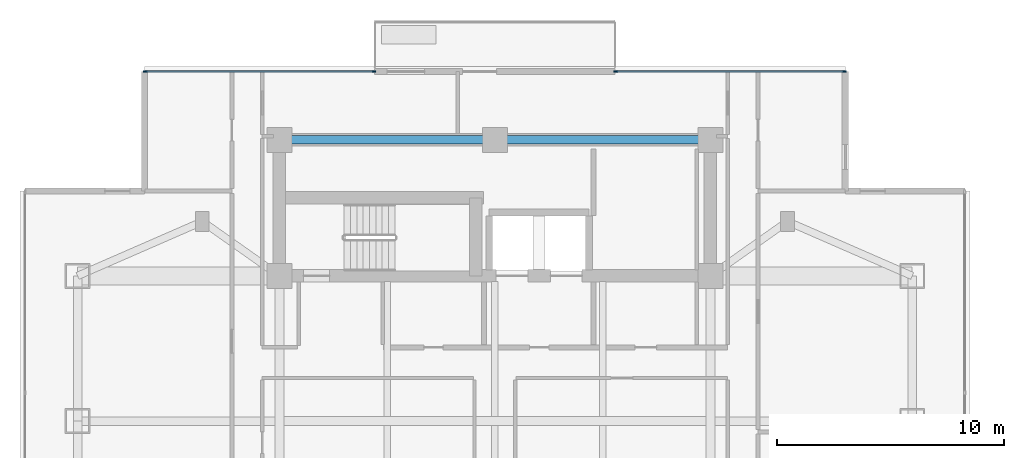
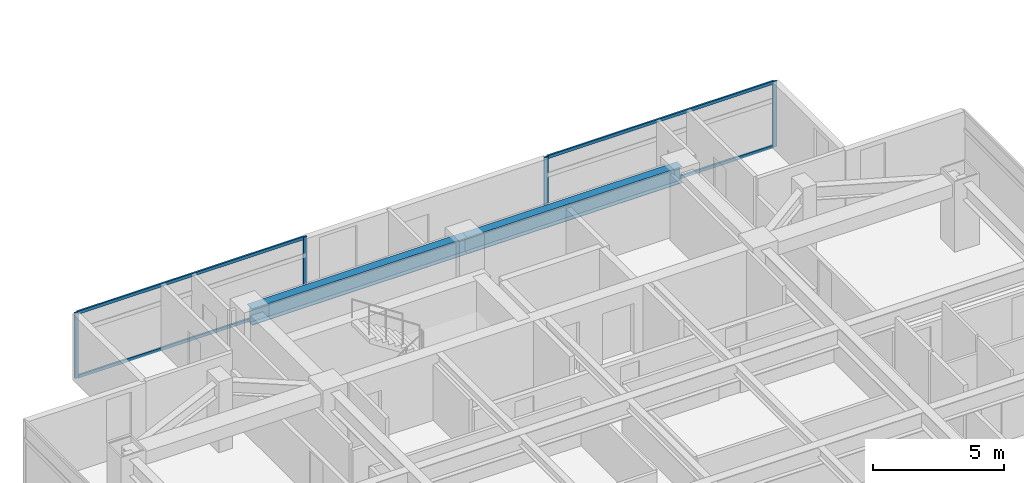
# One storey, part 8 of 26: 8 members, 2 beams, 2 elements without a shape of their own.
"""IFC4 building model written with IfcOpenShell, lengths in metres."""

from ifc_helpers import new_model, si_unit, direction, frame, origin, origin_2d, place, context, subcontext, project, spatial, rectangle, i_section, extrude, material, material_profile, profile_set, type_object, element, aggregate, save


model = new_model("IFC4")

# Units and contexts
model_context = context("Model", 3, precision=1e-05, world=origin(), true_north=direction((0.0, 1.0)))
body_context = subcontext(model_context, "Body", "Model", "MODEL_VIEW")
ifc_project = project(units=[si_unit("LENGTHUNIT", "METRE"), si_unit("AREAUNIT", "SQUARE_METRE"), si_unit("VOLUMEUNIT", "CUBIC_METRE"), si_unit("PLANEANGLEUNIT", "RADIAN"), si_unit("MASSUNIT", "GRAM", prefix="KILO")], contexts=[model_context])

# Site, building, storey
site_placement = place(None, origin())
site = spatial("IfcSite", under=ifc_project, at=site_placement, CompositionType="ELEMENT")
building_placement = place(site_placement, origin())
building = spatial("IfcBuilding", under=site, at=building_placement, Name="Mirazonda Arch Towers", CompositionType="ELEMENT")
storey_placement = place(building_placement, frame((0.0, 0.0, 128.0)))
storey = spatial("IfcBuildingStorey", under=building, at=storey_placement, Name="L36", CompositionType="ELEMENT", Elevation=128.0)

# Beams
ifc_material_1 = material(Name="Steel ASTM A992 Grade 50", Category="steel")
ifc_material_profile_1 = material_profile(ifc_material_1, i_section(OverallWidth=0.381103515625, OverallDepth=0.77294921875, WebThickness=0.0166015625, FlangeThickness=0.027099609375, at=origin_2d()), Name="W30X173")
ifc_profile_set_1 = profile_set([ifc_material_profile_1], Name="Steel ASTM A992 Grade 50")
beam_type = type_object("IfcBeamType", Name="BM-INT-W30X173", PredefinedType="USERDEFINED", material=ifc_profile_set_1)
for number, where, z_axis, x_axis, name in (
    (1, (11.0, 43.60009765625, 2.693603515625), (1.0, 0.0, 0.0), (0.0, 1.0, 0.0), "L36 Floor Beam BM-T1-L36-CN1"),
    (2, (20.5, 43.60009765625, 2.693603515625), (1.0, 0.0, 0.0), (0.0, 1.0, 0.0), "L36 Floor Beam BM-T1-L36-CN2"),
):
    element("IfcBeam", number, at=place(storey_placement, frame(where, z_axis=z_axis, x_axis=x_axis)), inside=storey, type_object=beam_type, Name=name, ObjectType="GIRDER", PredefinedType="USERDEFINED", context=body_context, shape_type="SweptSolid", body=[
        extrude(i_section(OverallWidth=0.381103515625, OverallDepth=0.77294921875, WebThickness=0.0166015625, FlangeThickness=0.027099609375, at=origin_2d()), origin(), (0.0, 0.0, 1.0), 9.5),
    ])

# Curtain wall, members
ifc_material_2 = material(Name="Anodised Aluminium and Low-E Glass", Category="aluminium")
curtain_wall_type = type_object("IfcCurtainWallType", Name="CW-HTL-UNIT", PredefinedType="NOTDEFINED", material=ifc_material_2)
curtain_wall_1_placement = place(storey_placement, origin())
curtain_wall_1 = element("IfcCurtainWall", 3, at=curtain_wall_1_placement, inside=storey, type_object=curtain_wall_type, Name="L36 Curtain Wall CW-L36-T1-NA", PredefinedType="NOTDEFINED")
ifc_material_3 = material(Name="Anodised Aluminium Alloy", Category="aluminium")
ifc_material_profile_2 = material_profile(ifc_material_3, rectangle(XDim=0.074951171875, YDim=0.1650390625, at=origin_2d()), Name="ALU-MULL-75x165")
ifc_profile_set_2 = profile_set([ifc_material_profile_2], Name="Anodised Aluminium Alloy")
member_type_1 = type_object("IfcMemberType", Name="MULL-CW-HTL-UNIT", PredefinedType="MULLION", material=ifc_profile_set_2)
member_1_placement = place(storey_placement, frame((5.08740234375, 46.614013671875, 0.0), z_axis=(0.0, 0.0, 1.0), x_axis=(0.0, 1.0, 0.0)))
member_1 = element("IfcMember", 4, at=member_1_placement, type_object=member_type_1, Name="CW-112 mullion 1", PredefinedType="MULLION", context=body_context, shape_type="SweptSolid", body=[
    extrude(rectangle(XDim=0.074951171875, YDim=0.1650390625, at=origin_2d()), origin(), (0.0, 0.0, 1.0), 3.06005859375),
])
member_2_placement = place(storey_placement, frame((15.172607421875, 46.614013671875, 0.0), z_axis=(0.0, 0.0, 1.0), x_axis=(0.0, 1.0, 0.0)))
member_2 = element("IfcMember", 5, at=member_2_placement, type_object=member_type_1, Name="CW-112 mullion 2", PredefinedType="MULLION", context=body_context, shape_type="SweptSolid", body=[
    extrude(rectangle(XDim=0.074951171875, YDim=0.1650390625, at=origin_2d()), origin(), (0.0, 0.0, 1.0), 3.06005859375),
])

curtain_wall_2_placement = place(storey_placement, origin())
curtain_wall_2 = element("IfcCurtainWall", 6, at=curtain_wall_2_placement, inside=storey, type_object=curtain_wall_type, Name="L36 Curtain Wall CW-L36-T1-NB", PredefinedType="NOTDEFINED")
member_3_placement = place(storey_placement, frame((25.827392578125, 46.614013671875, 0.0), z_axis=(0.0, 0.0, 1.0), x_axis=(0.0, 1.0, 0.0)))
member_3 = element("IfcMember", 7, at=member_3_placement, type_object=member_type_1, Name="CW-112 mullion 1", PredefinedType="MULLION", context=body_context, shape_type="SweptSolid", body=[
    extrude(rectangle(XDim=0.074951171875, YDim=0.1650390625, at=origin_2d()), origin(), (0.0, 0.0, 1.0), 3.06005859375),
])
member_4_placement = place(storey_placement, frame((35.91259765625, 46.614013671875, 0.0), z_axis=(0.0, 0.0, 1.0), x_axis=(0.0, 1.0, 0.0)))
member_4 = element("IfcMember", 8, at=member_4_placement, type_object=member_type_1, Name="CW-112 mullion 2", PredefinedType="MULLION", context=body_context, shape_type="SweptSolid", body=[
    extrude(rectangle(XDim=0.074951171875, YDim=0.1650390625, at=origin_2d()), origin(), (0.0, 0.0, 1.0), 3.06005859375),
])

# Member
ifc_material_profile_3 = material_profile(ifc_material_3, rectangle(XDim=0.074951171875, YDim=0.14501953125, at=origin_2d()), Name="ALU-TRAN-75x145")
ifc_profile_set_3 = profile_set([ifc_material_profile_3], Name="Anodised Aluminium Alloy")
member_type_2 = type_object("IfcMemberType", Name="TRAN-CW-HTL-UNIT", PredefinedType="USERDEFINED", material=ifc_profile_set_3)
member_5_placement = place(storey_placement, frame((5.125, 46.614013671875, 0.03759765625), z_axis=(1.0, 0.0, 0.0), x_axis=(0.0, 1.0, 0.0)))
member_5 = element("IfcMember", 9, at=member_5_placement, type_object=member_type_2, Name="CW-112 transom 1.1", ObjectType="TRANSOM", PredefinedType="USERDEFINED", context=body_context, shape_type="SweptSolid", body=[
    extrude(rectangle(XDim=0.074951171875, YDim=0.14501953125, at=origin_2d()), origin(), (0.0, 0.0, 1.0), 10.010009765625),
])

member_6_placement = place(storey_placement, frame((5.125, 46.614013671875, 3.0224609375), z_axis=(1.0, 0.0, 0.0), x_axis=(0.0, 1.0, 0.0)))
member_6 = element("IfcMember", 10, at=member_6_placement, type_object=member_type_2, Name="CW-112 transom 1.2", ObjectType="TRANSOM", PredefinedType="USERDEFINED", context=body_context, shape_type="SweptSolid", body=[
    extrude(rectangle(XDim=0.074951171875, YDim=0.14501953125, at=origin_2d()), origin(), (0.0, 0.0, 1.0), 10.010009765625),
])

aggregate(curtain_wall_1, [member_1, member_2, member_5, member_6])

member_7_placement = place(storey_placement, frame((25.864990234375, 46.614013671875, 0.03759765625), z_axis=(1.0, 0.0, 0.0), x_axis=(0.0, 1.0, 0.0)))
member_7 = element("IfcMember", 11, at=member_7_placement, type_object=member_type_2, Name="CW-112 transom 1.1", ObjectType="TRANSOM", PredefinedType="USERDEFINED", context=body_context, shape_type="SweptSolid", body=[
    extrude(rectangle(XDim=0.074951171875, YDim=0.14501953125, at=origin_2d()), origin(), (0.0, 0.0, 1.0), 10.010009765625),
])

member_8_placement = place(storey_placement, frame((25.864990234375, 46.614013671875, 3.0224609375), z_axis=(1.0, 0.0, 0.0), x_axis=(0.0, 1.0, 0.0)))
member_8 = element("IfcMember", 12, at=member_8_placement, type_object=member_type_2, Name="CW-112 transom 1.2", ObjectType="TRANSOM", PredefinedType="USERDEFINED", context=body_context, shape_type="SweptSolid", body=[
    extrude(rectangle(XDim=0.074951171875, YDim=0.14501953125, at=origin_2d()), origin(), (0.0, 0.0, 1.0), 10.010009765625),
])

aggregate(curtain_wall_2, [member_3, member_4, member_7, member_8])

save(model, "model.ifc")
